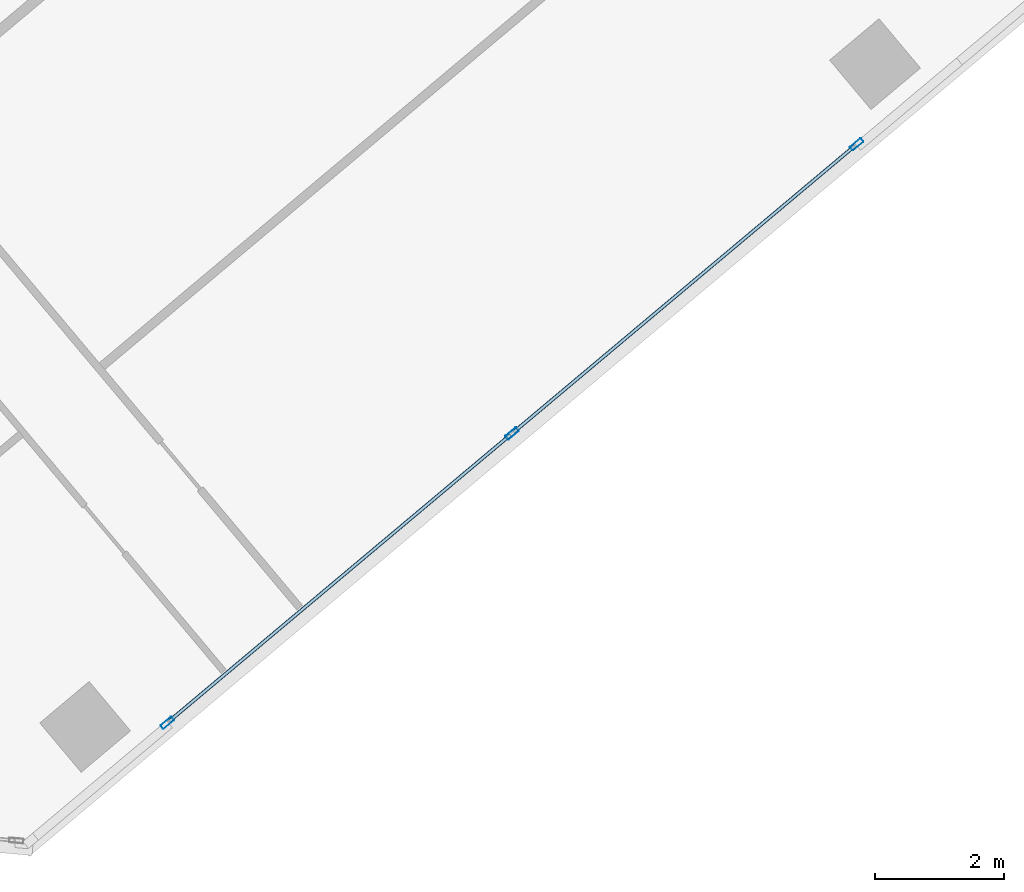
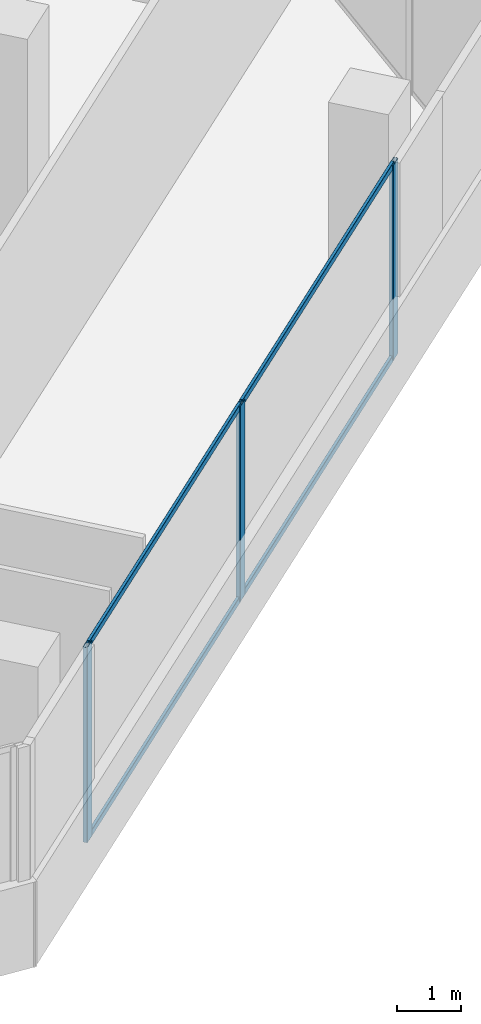
# One storey, part 5 of 17: 7 members, 1 element without a shape of its own.
"""IFC4 building model written with IfcOpenShell, lengths in metres."""

from ifc_helpers import new_model, si_unit, direction, frame, origin, origin_2d, place, context, subcontext, project, spatial, hollow_rectangle, extrude, source, transform, mapped, material, material_profile, profile_set, type_object, element, aggregate, save


model = new_model("IFC4")

# Units and contexts
model_context = context("Model", 3, precision=1e-05, world=origin(), true_north=direction((0.0, 1.0)))
body_context = subcontext(model_context, "Body", "Model", "MODEL_VIEW")
ifc_project = project(units=[si_unit("LENGTHUNIT", "METRE"), si_unit("AREAUNIT", "SQUARE_METRE"), si_unit("VOLUMEUNIT", "CUBIC_METRE"), si_unit("PLANEANGLEUNIT", "RADIAN"), si_unit("MASSUNIT", "GRAM", prefix="KILO")], contexts=[model_context])

# Site, building, storey
site_placement = place(None, origin())
site = spatial("IfcSite", under=ifc_project, at=site_placement, CompositionType="ELEMENT")
building_placement = place(site_placement, origin())
building = spatial("IfcBuilding", under=site, at=building_placement, Name="Torre Montelarca", CompositionType="ELEMENT")
storey_placement = place(building_placement, frame((0.0, 0.0, 271.0)))
storey = spatial("IfcBuildingStorey", under=building, at=storey_placement, Name="L61", CompositionType="ELEMENT", Elevation=271.0)

# Curtain wall, members
ifc_material_1 = material(Name="Insulated low-E laminated glass", Category="glass")
curtain_wall_type = type_object("IfcCurtainWallType", Name="CW-SYS-Z3", PredefinedType="USERDEFINED", material=ifc_material_1)
curtain_wall_placement = place(storey_placement, origin())
curtain_wall = element("IfcCurtainWall", 1, at=curtain_wall_placement, inside=storey, type_object=curtain_wall_type, Name="L61 Curtain Wall Run CW-T3-L61-E06-B1", ObjectType="UNITISED GLAZING", PredefinedType="USERDEFINED")
ifc_material_2 = material(Name="Anodised aluminium AA 6063-T6", Category="aluminium")
ifc_material_profile_1 = material_profile(ifc_material_2, hollow_rectangle(XDim=0.074951171875, YDim=0.219970703125, WallThickness=0.0048828125, InnerFilletRadius=0.0048828125, OuterFilletRadius=0.010009765625, at=origin_2d()), Name="ALU75X220X5", Category="aluminium")
ifc_profile_set_1 = profile_set([ifc_material_profile_1], Name="Anodised aluminium AA 6063-T6")
member_type_1 = type_object("IfcMemberType", Name="CWM-ALU220", PredefinedType="MULLION", material=ifc_profile_set_1)
shared_shape_1 = source(origin(), body_context, "Body", "SweptSolid", [
    extrude(hollow_rectangle(XDim=0.074951171875, YDim=0.219970703125, WallThickness=0.0048828125, InnerFilletRadius=0.0048828125, OuterFilletRadius=0.010009765625, at=origin_2d()), origin(), (0.0, 0.0, 1.0), 3.719970703125),
])
member_1_placement = place(storey_placement, frame((29.8232421875, 11.218017578125, 0.0), z_axis=(0.0, 0.0, 1.0), x_axis=(-0.642788263666, 0.766043894364, 0.0)))
member_1 = element("IfcMember", 2, at=member_1_placement, type_object=member_type_1, Name="CW mullion 1", PredefinedType="MULLION", context=body_context, shape_type="MappedRepresentation", body=[
    mapped(shared_shape_1, transform((0.0, 0.0, 0.0), scale=1.0)),
])
member_2_placement = place(storey_placement, frame((35.172119140625, 15.706298828125, 0.0), z_axis=(0.0, 0.0, 1.0), x_axis=(-0.642788263666, 0.766043894364, 0.0)))
member_2 = element("IfcMember", 3, at=member_2_placement, type_object=member_type_1, Name="CW mullion 2", PredefinedType="MULLION", context=body_context, shape_type="MappedRepresentation", body=[
    mapped(shared_shape_1, transform((0.0, 0.0, 0.0), scale=1.0)),
])
member_3_placement = place(storey_placement, frame((40.52099609375, 20.194580078125, 0.0), z_axis=(0.0, 0.0, 1.0), x_axis=(-0.642788263666, 0.766043894364, 0.0)))
member_3 = element("IfcMember", 4, at=member_3_placement, type_object=member_type_1, Name="CW mullion 3", PredefinedType="MULLION", context=body_context, shape_type="MappedRepresentation", body=[
    mapped(shared_shape_1, transform((0.0, 0.0, 0.0), scale=1.0)),
])
ifc_material_profile_2 = material_profile(ifc_material_2, hollow_rectangle(XDim=0.054931640625, YDim=0.1201171875, WallThickness=0.00341796875, InnerFilletRadius=0.00341796875, OuterFilletRadius=0.007080078125, at=origin_2d()), Name="ALU55X120X3.5", Category="aluminium")
ifc_profile_set_2 = profile_set([ifc_material_profile_2], Name="Anodised aluminium AA 6063-T6")
member_type_2 = type_object("IfcMemberType", Name="CWT-ALU120", PredefinedType="USERDEFINED", material=ifc_profile_set_2)
shared_shape_2 = source(origin(), body_context, "Body", "SweptSolid", [
    extrude(hollow_rectangle(XDim=0.054931640625, YDim=0.1201171875, WallThickness=0.00341796875, InnerFilletRadius=0.00341796875, OuterFilletRadius=0.007080078125, at=origin_2d()), origin(), (0.0, 0.0, 1.0), 6.9072265625),
])
member_4_placement = place(storey_placement, frame((29.85205078125, 11.2421875, 0.027587890625), z_axis=(0.766041072025, 0.642791627179, 0.0), x_axis=(-0.642791627179, 0.766041072025, 0.0)))
member_4 = element("IfcMember", 5, at=member_4_placement, type_object=member_type_2, Name="CW transom 1.1", ObjectType="TRANSOM", PredefinedType="USERDEFINED", context=body_context, shape_type="MappedRepresentation", body=[
    mapped(shared_shape_2, transform((0.0, 0.0, 0.0), scale=1.0)),
])
member_5_placement = place(storey_placement, frame((29.85205078125, 11.2421875, 3.6923828125), z_axis=(0.766041072025, 0.642791627179, 0.0), x_axis=(-0.642791627179, 0.766041072025, 0.0)))
member_5 = element("IfcMember", 6, at=member_5_placement, type_object=member_type_2, Name="CW transom 1.2", ObjectType="TRANSOM", PredefinedType="USERDEFINED", context=body_context, shape_type="MappedRepresentation", body=[
    mapped(shared_shape_2, transform((0.0, 0.0, 0.0), scale=1.0)),
])
member_6_placement = place(storey_placement, frame((35.200927734375, 15.73046875, 0.027587890625), z_axis=(0.766041072025, 0.642791627179, 0.0), x_axis=(-0.642791627179, 0.766041072025, 0.0)))
member_6 = element("IfcMember", 7, at=member_6_placement, type_object=member_type_2, Name="CW transom 2.1", ObjectType="TRANSOM", PredefinedType="USERDEFINED", context=body_context, shape_type="MappedRepresentation", body=[
    mapped(shared_shape_2, transform((0.0, 0.0, 0.0), scale=1.0)),
])
member_7_placement = place(storey_placement, frame((35.200927734375, 15.73046875, 3.6923828125), z_axis=(0.766041072025, 0.642791627179, 0.0), x_axis=(-0.642791627179, 0.766041072025, 0.0)))
member_7 = element("IfcMember", 8, at=member_7_placement, type_object=member_type_2, Name="CW transom 2.2", ObjectType="TRANSOM", PredefinedType="USERDEFINED", context=body_context, shape_type="MappedRepresentation", body=[
    mapped(shared_shape_2, transform((0.0, 0.0, 0.0), scale=1.0)),
])
aggregate(curtain_wall, [member_1, member_2, member_3, member_4, member_5, member_6, member_7])

save(model, "model.ifc")
